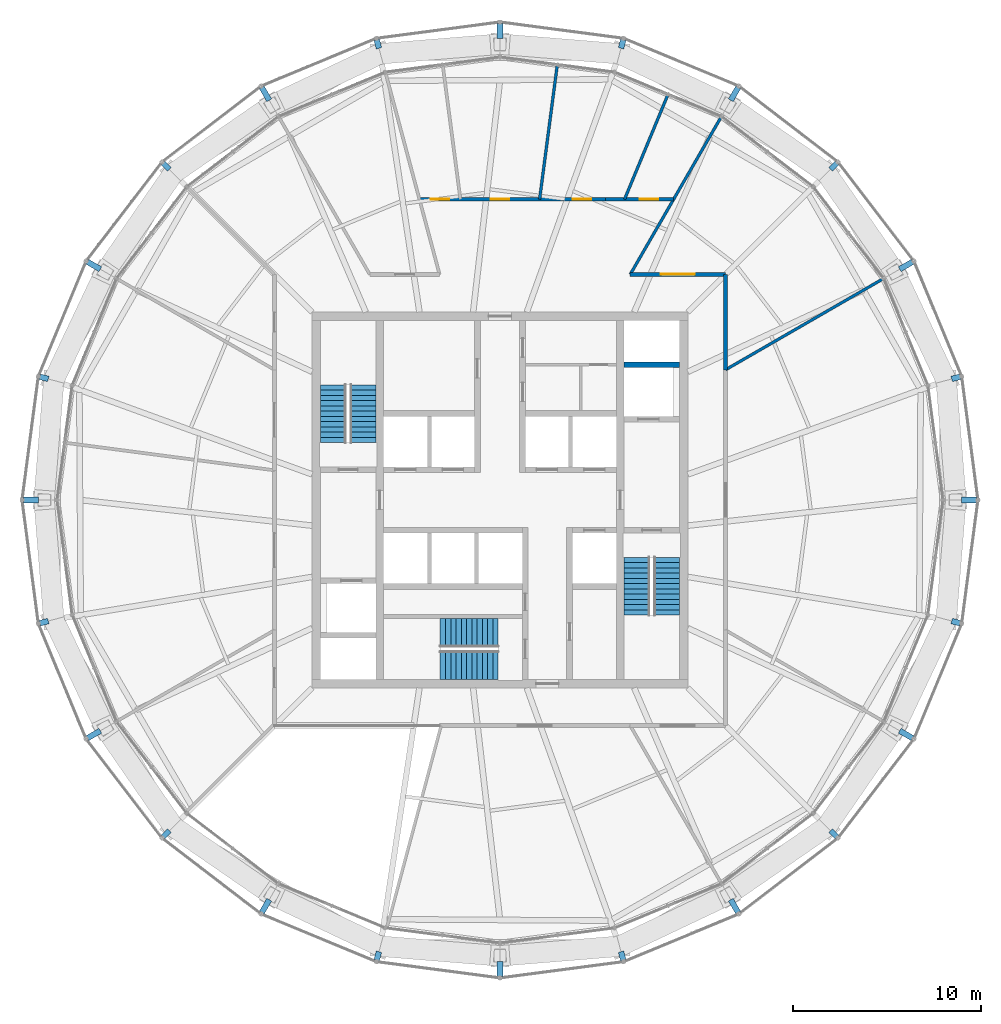
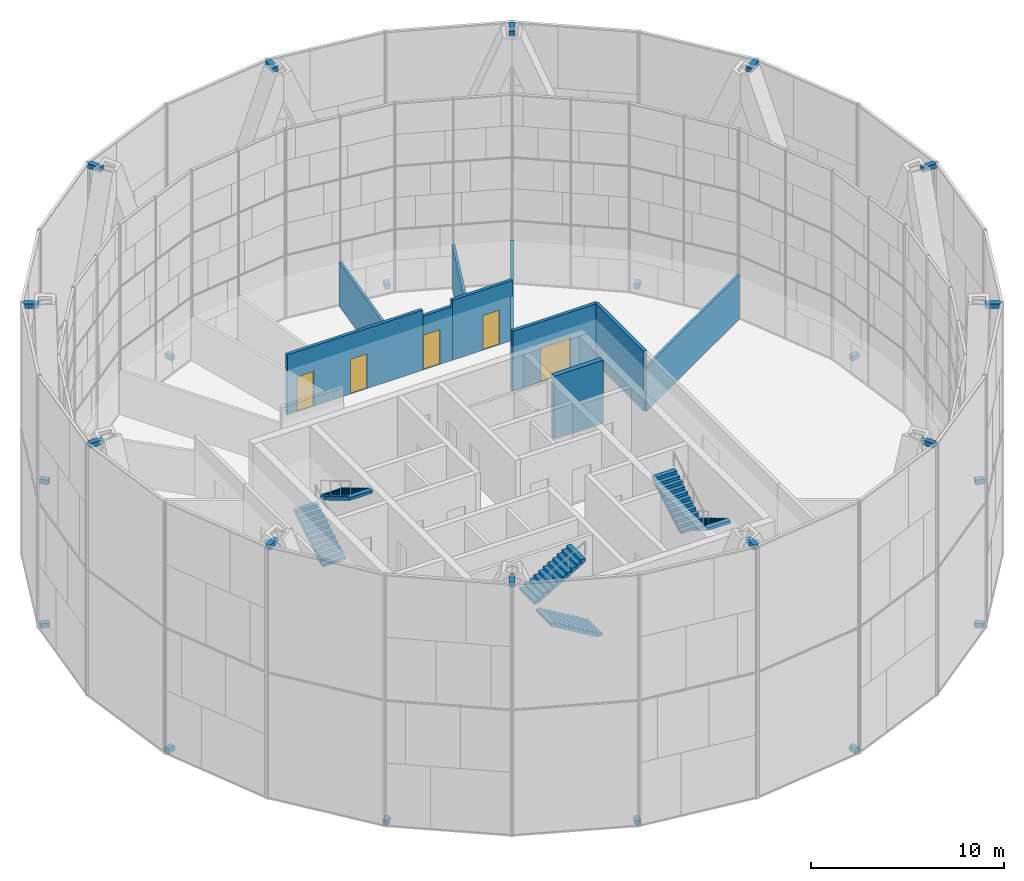
# One storey, part 25 of 26: 24 discrete accessories, 10 walls, 6 stair flights, 5 doors, 5 openings, 3 elements without a shape of their own.
"""IFC4 building model written with IfcOpenShell, lengths in metres."""

from ifc_helpers import new_model, si_unit, direction, frame, frame_2d, origin, origin_2d, place, context, subcontext, project, spatial, polyline, rectangle, outline, extrude, material, layer, layer_set, type_object, element, fill, aggregate, save


model = new_model("IFC4")

# Units and contexts
model_context = context("Model", 3, precision=1e-05, world=origin(), true_north=direction((0.0, 1.0)))
body_context = subcontext(model_context, "Body", "Model", "MODEL_VIEW")
ifc_project = project(units=[si_unit("LENGTHUNIT", "METRE"), si_unit("AREAUNIT", "SQUARE_METRE"), si_unit("VOLUMEUNIT", "CUBIC_METRE"), si_unit("PLANEANGLEUNIT", "RADIAN"), si_unit("MASSUNIT", "GRAM", prefix="KILO")], contexts=[model_context])

# Site, building, storey
site_placement = place(None, origin())
site = spatial("IfcSite", under=ifc_project, at=site_placement, CompositionType="ELEMENT")
building_placement = place(site_placement, origin())
building = spatial("IfcBuilding", under=site, at=building_placement, Name="Golbaran Civic Tower", CompositionType="ELEMENT")
storey_placement = place(building_placement, frame((0.0, 0.0, 199.0)))
storey = spatial("IfcBuildingStorey", under=building, at=storey_placement, Name="L48", CompositionType="ELEMENT", Elevation=199.0)

# Wall
ifc_material_1 = material(Name="Gypsum board on steel studs, fire-rated", Category="steel")
ifc_layer_1 = layer(ifc_material_1, 0.199951171875, Name="Gypsum board on steel studs, fire-rated")
ifc_layer_set_1 = layer_set([ifc_layer_1], Name="Gypsum board on steel studs, fire-rated")
wall_type_1 = type_object("IfcWallType", Name="CORRIDOR WALL 200", PredefinedType="PARTITIONING", material=ifc_layer_set_1)
wall_1_placement = place(storey_placement, frame((12.0, 6.92822265625, 0.0), z_axis=(0.0, 0.0, 1.0), x_axis=(0.0, 1.0, 0.0)))
element("IfcWall", 1, at=wall_1_placement, inside=storey, type_object=wall_type_1, Name="Corridor wall L48", PredefinedType="PARTITIONING", context=body_context, shape_type="SweptSolid", body=[
    extrude(rectangle(XDim=5.07177734375, YDim=0.199951171875, at=frame_2d((2.535888671875, 0.0))), origin(), (0.0, 0.0, 1.0), 3.800048828125),
])

# Wall, opening, door
wall_2_placement = place(storey_placement, frame((12.0, 12.0, 0.0), z_axis=(0.0, 0.0, 1.0), x_axis=(-1.0, 0.0, 0.0)))
wall_2 = element("IfcWall", 2, at=wall_2_placement, inside=storey, type_object=wall_type_1, Name="Corridor wall L48", PredefinedType="PARTITIONING", context=body_context, shape_type="SweptSolid", body=[
    extrude(rectangle(XDim=5.07177734375, YDim=0.199951171875, at=frame_2d((2.535888671875, 0.0))), origin(), (0.0, 0.0, 1.0), 3.800048828125),
])
opening_1_placement = place(wall_2_placement, frame((1.635986328125, 0.0, 0.0)))
opening_1 = element("IfcOpeningElement", 3, at=opening_1_placement, cuts=wall_2, Name="Opening L48.06", PredefinedType="OPENING", context=body_context, shape_type="SweptSolid", body=[
    extrude(rectangle(XDim=1.800048828125, YDim=2.199951171875, at=frame_2d((0.89990234375, 1.10009765625))), frame((0.0, 0.10986328125, 0.0), z_axis=(0.0, -1.0, 0.0), x_axis=(1.0, 0.0, 0.0)), (0.0, 0.0, 1.0), 0.219970703125),
])
ifc_material_2 = material(Name="Timber door set in steel frame", Category="steel")
door_type_1 = type_object("IfcDoorType", Name="OFFICE DOUBLE DOOR 1800x2200", OperationType="DOUBLE_DOOR_SINGLE_SWING", PredefinedType="DOOR", material=ifc_material_2)
door_1_placement = place(opening_1_placement, origin())
door_1 = element("IfcDoor", 4, at=door_1_placement, inside=storey, type_object=door_type_1, Name="Open Office door L48", OperationType="DOUBLE_DOOR_SINGLE_SWING", OverallHeight=2.199951171875, OverallWidth=1.800048828125, PredefinedType="DOOR", context=body_context, shape_type="SweptSolid", body=[
    extrude(rectangle(XDim=1.800048828125, YDim=2.199951171875, at=frame_2d((0.89990234375, 1.10009765625))), frame((0.0, 0.02490234375, 0.0), z_axis=(0.0, -1.0, 0.0), x_axis=(1.0, 0.0, 0.0)), (0.0, 0.0, 1.0), 0.050048828125),
])
fill(opening_1, door_1)

ifc_material_3 = material(Name="Gypsum board on steel studs, fire-rated, glazed panels", Category="steel")
ifc_layer_2 = layer(ifc_material_3, 0.199951171875, Name="Gypsum board on steel studs, fire-rated, glazed panels")
ifc_layer_set_2 = layer_set([ifc_layer_2], Name="Gypsum board on steel studs, fire-rated, glazed panels")
wall_type_2 = type_object("IfcWallType", Name="GALLERY WALL 200", PredefinedType="PARTITIONING", material=ifc_layer_set_2)
wall_3_placement = place(storey_placement, frame((9.237548828125, 16.0, 0.0), z_axis=(0.0, 0.0, 1.0), x_axis=(-1.0, 0.0, 0.0)))
wall_3 = element("IfcWall", 5, at=wall_3_placement, inside=storey, type_object=wall_type_2, Name="Gallery wall L48", PredefinedType="PARTITIONING", context=body_context, shape_type="SweptSolid", body=[
    extrude(rectangle(XDim=3.63623046875, YDim=0.199951171875, at=frame_2d((1.818115234375, 0.0))), origin(), (0.0, 0.0, 1.0), 3.800048828125),
])
opening_2_placement = place(wall_3_placement, frame((0.80517578125, 0.0, 0.0)))
opening_2 = element("IfcOpeningElement", 6, at=opening_2_placement, cuts=wall_3, Name="Opening L48.01", PredefinedType="OPENING", context=body_context, shape_type="SweptSolid", body=[
    extrude(rectangle(XDim=1.0, YDim=2.199951171875, at=frame_2d((0.5, 1.10009765625))), frame((0.0, 0.10986328125, 0.0), z_axis=(0.0, -1.0, 0.0), x_axis=(1.0, 0.0, 0.0)), (0.0, 0.0, 1.0), 0.219970703125),
])
door_type_2 = type_object("IfcDoorType", Name="OFFICE DOOR 1000x2200", OperationType="SINGLE_SWING_LEFT", PredefinedType="DOOR", material=ifc_material_2)
door_2_placement = place(opening_2_placement, origin())
door_2 = element("IfcDoor", 7, at=door_2_placement, inside=storey, type_object=door_type_2, Name="Director's Office door L48", OperationType="SINGLE_SWING_LEFT", OverallHeight=2.199951171875, OverallWidth=1.0, PredefinedType="DOOR", context=body_context, shape_type="SweptSolid", body=[
    extrude(rectangle(XDim=1.0, YDim=2.199951171875, at=frame_2d((0.5, 1.10009765625))), frame((0.0, 0.02490234375, 0.0), z_axis=(0.0, -1.0, 0.0), x_axis=(1.0, 0.0, 0.0)), (0.0, 0.0, 1.0), 0.050048828125),
])
fill(opening_2, door_2)

wall_4_placement = place(storey_placement, frame((5.601318359375, 16.0, 0.0), z_axis=(0.0, 0.0, 1.0), x_axis=(-1.0, 0.0, 0.0)))
wall_4 = element("IfcWall", 8, at=wall_4_placement, inside=storey, type_object=wall_type_2, Name="Gallery wall L48 (part 2)", PredefinedType="PARTITIONING", context=body_context, shape_type="SweptSolid", body=[
    extrude(rectangle(XDim=1.75439453125, YDim=0.199951171875, at=frame_2d((0.877197265625, 0.0))), origin(), (0.0, 0.0, 1.0), 3.39990234375),
])
opening_3_placement = place(wall_4_placement, frame((0.734375, 0.0, 0.0)))
opening_3 = element("IfcOpeningElement", 9, at=opening_3_placement, cuts=wall_4, Name="Opening L48.02", PredefinedType="OPENING", context=body_context, shape_type="SweptSolid", body=[
    extrude(rectangle(XDim=1.0, YDim=2.199951171875, at=frame_2d((0.5, 1.10009765625))), frame((0.0, 0.10986328125, 0.0), z_axis=(0.0, -1.0, 0.0), x_axis=(1.0, 0.0, 0.0)), (0.0, 0.0, 1.0), 0.219970703125),
])
door_3_placement = place(opening_3_placement, origin())
door_3 = element("IfcDoor", 10, at=door_3_placement, inside=storey, type_object=door_type_2, Name="Director's Office door L48", OperationType="SINGLE_SWING_LEFT", OverallHeight=2.199951171875, OverallWidth=1.0, PredefinedType="DOOR", context=body_context, shape_type="SweptSolid", body=[
    extrude(rectangle(XDim=1.0, YDim=2.199951171875, at=frame_2d((0.5, 1.10009765625))), frame((0.0, 0.02490234375, 0.0), z_axis=(0.0, -1.0, 0.0), x_axis=(1.0, 0.0, 0.0)), (0.0, 0.0, 1.0), 0.050048828125),
])
fill(opening_3, door_3)

# Wall, openings, doors
wall_5_placement = place(storey_placement, frame((3.846923828125, 16.0, 0.0), z_axis=(0.0, 0.0, 1.0), x_axis=(-1.0, 0.0, 0.0)))
wall_5 = element("IfcWall", 11, at=wall_5_placement, inside=storey, type_object=wall_type_2, Name="Gallery wall L48 (part 3)", PredefinedType="PARTITIONING", context=body_context, shape_type="SweptSolid", body=[
    extrude(rectangle(XDim=8.134033203125, YDim=0.199951171875, at=frame_2d((4.06689453125, 0.0))), origin(), (0.0, 0.0, 1.0), 3.800048828125),
])
opening_4_placement = place(wall_5_placement, frame((3.346923828125, 0.0, 0.0)))
opening_4 = element("IfcOpeningElement", 12, at=opening_4_placement, cuts=wall_5, Name="Opening L48.03", PredefinedType="OPENING", context=body_context, shape_type="SweptSolid", body=[
    extrude(rectangle(XDim=1.0, YDim=2.199951171875, at=frame_2d((0.5, 1.10009765625))), frame((0.0, 0.10986328125, 0.0), z_axis=(0.0, -1.0, 0.0), x_axis=(1.0, 0.0, 0.0)), (0.0, 0.0, 1.0), 0.219970703125),
])
opening_5_placement = place(wall_5_placement, frame((6.543701171875, 0.0, 0.0)))
opening_5 = element("IfcOpeningElement", 13, at=opening_5_placement, cuts=wall_5, Name="Opening L48.04", PredefinedType="OPENING", context=body_context, shape_type="SweptSolid", body=[
    extrude(rectangle(XDim=1.0, YDim=2.199951171875, at=frame_2d((0.5, 1.10009765625))), frame((0.0, 0.10986328125, 0.0), z_axis=(0.0, -1.0, 0.0), x_axis=(1.0, 0.0, 0.0)), (0.0, 0.0, 1.0), 0.219970703125),
])
door_4_placement = place(opening_4_placement, origin())
door_4 = element("IfcDoor", 14, at=door_4_placement, inside=storey, type_object=door_type_2, Name="Office door L48", OperationType="SINGLE_SWING_RIGHT", OverallHeight=2.199951171875, OverallWidth=1.0, PredefinedType="DOOR", context=body_context, shape_type="SweptSolid", body=[
    extrude(rectangle(XDim=1.0, YDim=2.199951171875, at=frame_2d((0.5, 1.10009765625))), frame((0.0, 0.02490234375, 0.0), z_axis=(0.0, -1.0, 0.0), x_axis=(1.0, 0.0, 0.0)), (0.0, 0.0, 1.0), 0.050048828125),
])
fill(opening_4, door_4)
door_5_placement = place(opening_5_placement, origin())
door_5 = element("IfcDoor", 15, at=door_5_placement, inside=storey, type_object=door_type_2, Name="Director's Office door L48", OperationType="SINGLE_SWING_RIGHT", OverallHeight=2.199951171875, OverallWidth=1.0, PredefinedType="DOOR", context=body_context, shape_type="SweptSolid", body=[
    extrude(rectangle(XDim=1.0, YDim=2.199951171875, at=frame_2d((0.5, 1.10009765625))), frame((0.0, 0.02490234375, 0.0), z_axis=(0.0, -1.0, 0.0), x_axis=(1.0, 0.0, 0.0)), (0.0, 0.0, 1.0), 0.050048828125),
])
fill(opening_5, door_5)

# Walls
ifc_material_4 = material(Name="Gypsum board on steel studs", Category="steel")
ifc_layer_3 = layer(ifc_material_4, 0.14990234375, Name="Gypsum board on steel studs")
ifc_layer_set_3 = layer_set([ifc_layer_3], Name="Gypsum board on steel studs")
wall_type_3 = type_object("IfcWallType", Name="OFFICE PARTITION 150", PredefinedType="PARTITIONING", material=ifc_layer_set_3)
for number, where, z_axis, x_axis, name in (
    (16, (12.0, 6.92822265625, 0.0), (0.0, 0.0, 1.0), (0.866030904871, 0.499990471717, 0.0), "Partition 30 L48"),
    (17, (6.92822265625, 12.0, 0.0), (0.0, 0.0, 1.0), (0.499990471717, 0.866030904871, 0.0), "Partition 60 L48"),
):
    element("IfcWall", number, at=place(storey_placement, frame(where, z_axis=z_axis, x_axis=x_axis)), inside=storey, type_object=wall_type_3, Name=name, PredefinedType="PARTITIONING", context=body_context, shape_type="SweptSolid", body=[
        extrude(rectangle(XDim=9.619873046875, YDim=0.14990234375, at=frame_2d((4.81005859375, 0.0))), origin(), (0.0, 0.0, 1.0), 2.7900390625),
    ])
wall_6_placement = place(storey_placement, frame((6.62744140625, 16.0, 0.0), z_axis=(0.0, 0.0, 1.0), x_axis=(0.382661871878, 0.923888462863, 0.0)))
element("IfcWall", 18, at=wall_6_placement, inside=storey, type_object=wall_type_3, Name="Partition 67.5 L48", PredefinedType="PARTITIONING", context=body_context, shape_type="SweptSolid", body=[
    extrude(rectangle(XDim=5.95703125, YDim=0.14990234375, at=frame_2d((2.978515625, 0.0))), origin(), (0.0, 0.0, 1.0), 2.7900390625),
])
wall_7_placement = place(storey_placement, frame((2.1064453125, 16.0, 0.0), z_axis=(0.0, 0.0, 1.0), x_axis=(0.130532379334, 0.991444046805, 0.0)))
element("IfcWall", 19, at=wall_7_placement, inside=storey, type_object=wall_type_3, Name="Partition 82.5 L48", PredefinedType="PARTITIONING", context=body_context, shape_type="SweptSolid", body=[
    extrude(rectangle(XDim=7.13720703125, YDim=0.14990234375, at=frame_2d((3.568603515625, 0.0))), origin(), (0.0, 0.0, 1.0), 2.7900390625),
])
ifc_material_5 = material(Name="Concrete C50/60", Category="concrete")
ifc_layer_4 = layer(ifc_material_5, 0.300048828125, Name="Concrete C50/60")
ifc_layer_set_4 = layer_set([ifc_layer_4], Name="Concrete C50/60")
wall_type_4 = type_object("IfcWallType", Name="SHAFT WALL CONCRETE 300", PredefinedType="SOLIDWALL", material=ifc_layer_set_4)
wall_8_placement = place(storey_placement, frame((6.60009765625, 7.199951171875, 0.0), z_axis=(0.0, 0.0, 1.0), x_axis=(1.0, 0.0, 0.0)))
element("IfcWall", 20, at=wall_8_placement, inside=storey, type_object=wall_type_4, Name="Core wall XE3 L48", PredefinedType="SOLIDWALL", context=body_context, shape_type="SweptSolid", body=[
    extrude(rectangle(XDim=2.949951171875, YDim=0.300048828125, at=frame_2d((1.47509765625, 0.0))), origin(), (0.0, 0.0, 1.0), 4.0),
])

# Stair, stair flights
ifc_material_6 = material(Name="Concrete C35/45", Category="concrete")
stair_type_1 = type_object("IfcStairType", Name="EXIT STAIR 2950 x 7800, 4000 RISE", PredefinedType="HALF_TURN_STAIR", material=ifc_material_6)
stair_1_placement = place(storey_placement, origin())
stair_1 = element("IfcStair", 21, at=stair_1_placement, inside=storey, type_object=stair_type_1, Name="Stair S1 L48", PredefinedType="HALF_TURN_STAIR")
stair_flight_type_1 = type_object("IfcStairFlightType", Name="STAIR FLIGHT 1375 WIDE", PredefinedType="STRAIGHT", material=ifc_material_6)
stair_flight_1_placement = place(storey_placement, frame((-8.862548828125, 3.050048828125, 0.0), z_axis=(0.0, 0.0, 1.0), x_axis=(0.0, 1.0, 0.0)))
stair_flight_1 = element("IfcStairFlight", 22, at=stair_flight_1_placement, type_object=stair_flight_type_1, Name="ST29578-40 flight 1", NumberOfRisers=12, NumberOfTreads=11, PredefinedType="STRAIGHT", RiserHeight=0.166666667, TreadLength=0.28, context=body_context, shape_type="SweptSolid", body=[
    extrude(outline(polyline([(0.0, 0.0), (0.0, 0.166748046875), (0.280029296875, 0.166748046875), (0.280029296875, 0.333251953125), (0.56005859375, 0.333251953125), (0.56005859375, 0.5), (0.840087890625, 0.5), (0.840087890625, 0.666748046875), (1.1201171875, 0.666748046875), (1.1201171875, 0.833251953125), (1.39990234375, 0.833251953125), (1.39990234375, 1.0), (1.679931640625, 1.0), (1.679931640625, 1.166748046875), (1.9599609375, 1.166748046875), (1.9599609375, 1.333251953125), (2.239990234375, 1.333251953125), (2.239990234375, 1.5), (2.52001953125, 1.5), (2.52001953125, 1.666748046875), (2.800048828125, 1.666748046875), (2.800048828125, 1.833251953125), (3.080078125, 1.833251953125), (3.080078125, 2.0), (3.080078125, 1.658935546875), (0.29296875, 0.0), (0.0, 0.0)])), frame((0.0, 0.6875, 0.0), z_axis=(0.0, -1.0, 0.0), x_axis=(1.0, 0.0, 0.0)), (0.0, 0.0, 1.0), 1.375),
])
stair_flight_2_placement = place(storey_placement, frame((-7.28759765625, 6.1298828125, 2.0), z_axis=(0.0, 0.0, 1.0), x_axis=(0.0, -1.0, 0.0)))
stair_flight_2 = element("IfcStairFlight", 23, at=stair_flight_2_placement, type_object=stair_flight_type_1, Name="ST29578-40 flight 2", NumberOfRisers=12, NumberOfTreads=11, PredefinedType="STRAIGHT", RiserHeight=0.166666667, TreadLength=0.28, context=body_context, shape_type="SweptSolid", body=[
    extrude(outline(polyline([(0.0, 0.0), (0.0, 0.166748046875), (0.280029296875, 0.166748046875), (0.280029296875, 0.333251953125), (0.56005859375, 0.333251953125), (0.56005859375, 0.5), (0.840087890625, 0.5), (0.840087890625, 0.666748046875), (1.1201171875, 0.666748046875), (1.1201171875, 0.833251953125), (1.39990234375, 0.833251953125), (1.39990234375, 1.0), (1.679931640625, 1.0), (1.679931640625, 1.166748046875), (1.9599609375, 1.166748046875), (1.9599609375, 1.333251953125), (2.239990234375, 1.333251953125), (2.239990234375, 1.5), (2.52001953125, 1.5), (2.52001953125, 1.666748046875), (2.800048828125, 1.666748046875), (2.800048828125, 1.833251953125), (3.080078125, 1.833251953125), (3.080078125, 2.0), (3.080078125, 1.658935546875), (0.29296875, 0.0), (0.0, 0.0)])), frame((0.0, 0.6875, 0.0), z_axis=(0.0, -1.0, 0.0), x_axis=(1.0, 0.0, 0.0)), (0.0, 0.0, 1.0), 1.375),
])
aggregate(stair_1, [stair_flight_1, stair_flight_2])

stair_2_placement = place(storey_placement, origin())
stair_2 = element("IfcStair", 24, at=stair_2_placement, inside=storey, type_object=stair_type_1, Name="Stair S2 L48", PredefinedType="HALF_TURN_STAIR")
stair_flight_3_placement = place(storey_placement, frame((8.862548828125, -3.050048828125, 0.0), z_axis=(0.0, 0.0, 1.0), x_axis=(0.0, -1.0, 0.0)))
stair_flight_3 = element("IfcStairFlight", 25, at=stair_flight_3_placement, type_object=stair_flight_type_1, Name="ST29578-40 flight 1", NumberOfRisers=12, NumberOfTreads=11, PredefinedType="STRAIGHT", RiserHeight=0.166666667, TreadLength=0.28, context=body_context, shape_type="SweptSolid", body=[
    extrude(outline(polyline([(0.0, 0.0), (0.0, 0.166748046875), (0.280029296875, 0.166748046875), (0.280029296875, 0.333251953125), (0.56005859375, 0.333251953125), (0.56005859375, 0.5), (0.840087890625, 0.5), (0.840087890625, 0.666748046875), (1.1201171875, 0.666748046875), (1.1201171875, 0.833251953125), (1.39990234375, 0.833251953125), (1.39990234375, 1.0), (1.679931640625, 1.0), (1.679931640625, 1.166748046875), (1.9599609375, 1.166748046875), (1.9599609375, 1.333251953125), (2.239990234375, 1.333251953125), (2.239990234375, 1.5), (2.52001953125, 1.5), (2.52001953125, 1.666748046875), (2.800048828125, 1.666748046875), (2.800048828125, 1.833251953125), (3.080078125, 1.833251953125), (3.080078125, 2.0), (3.080078125, 1.658935546875), (0.29296875, 0.0), (0.0, 0.0)])), frame((0.0, 0.6875, 0.0), z_axis=(0.0, -1.0, 0.0), x_axis=(1.0, 0.0, 0.0)), (0.0, 0.0, 1.0), 1.375),
])
stair_flight_4_placement = place(storey_placement, frame((7.28759765625, -6.1298828125, 2.0), z_axis=(0.0, 0.0, 1.0), x_axis=(0.0, 1.0, 0.0)))
stair_flight_4 = element("IfcStairFlight", 26, at=stair_flight_4_placement, type_object=stair_flight_type_1, Name="ST29578-40 flight 2", NumberOfRisers=12, NumberOfTreads=11, PredefinedType="STRAIGHT", RiserHeight=0.166666667, TreadLength=0.28, context=body_context, shape_type="SweptSolid", body=[
    extrude(outline(polyline([(0.0, 0.0), (0.0, 0.166748046875), (0.280029296875, 0.166748046875), (0.280029296875, 0.333251953125), (0.56005859375, 0.333251953125), (0.56005859375, 0.5), (0.840087890625, 0.5), (0.840087890625, 0.666748046875), (1.1201171875, 0.666748046875), (1.1201171875, 0.833251953125), (1.39990234375, 0.833251953125), (1.39990234375, 1.0), (1.679931640625, 1.0), (1.679931640625, 1.166748046875), (1.9599609375, 1.166748046875), (1.9599609375, 1.333251953125), (2.239990234375, 1.333251953125), (2.239990234375, 1.5), (2.52001953125, 1.5), (2.52001953125, 1.666748046875), (2.800048828125, 1.666748046875), (2.800048828125, 1.833251953125), (3.080078125, 1.833251953125), (3.080078125, 2.0), (3.080078125, 1.658935546875), (0.29296875, 0.0), (0.0, 0.0)])), frame((0.0, 0.6875, 0.0), z_axis=(0.0, -1.0, 0.0), x_axis=(1.0, 0.0, 0.0)), (0.0, 0.0, 1.0), 1.375),
])
aggregate(stair_2, [stair_flight_3, stair_flight_4])

stair_type_2 = type_object("IfcStairType", Name="EXIT STAIR 3250 x 7400, 4000 RISE", PredefinedType="HALF_TURN_STAIR", material=ifc_material_6)
stair_3_placement = place(storey_placement, origin())
stair_3 = element("IfcStair", 27, at=stair_3_placement, inside=storey, type_object=stair_type_2, Name="Stair S3 L48", PredefinedType="HALF_TURN_STAIR")
stair_flight_type_2 = type_object("IfcStairFlightType", Name="STAIR FLIGHT 1525 WIDE", PredefinedType="STRAIGHT", material=ifc_material_6)
stair_flight_5_placement = place(storey_placement, frame((-0.10009765625, -8.78759765625, 0.0), z_axis=(0.0, 0.0, 1.0), x_axis=(-1.0, 0.0, 0.0)))
stair_flight_5 = element("IfcStairFlight", 28, at=stair_flight_5_placement, type_object=stair_flight_type_2, Name="ST32574-40 flight 1", NumberOfRisers=12, NumberOfTreads=11, PredefinedType="STRAIGHT", RiserHeight=0.166666667, TreadLength=0.28, context=body_context, shape_type="SweptSolid", body=[
    extrude(outline(polyline([(0.0, 0.0), (0.0, 0.166748046875), (0.280029296875, 0.166748046875), (0.280029296875, 0.333251953125), (0.56005859375, 0.333251953125), (0.56005859375, 0.5), (0.840087890625, 0.5), (0.840087890625, 0.666748046875), (1.1201171875, 0.666748046875), (1.1201171875, 0.833251953125), (1.39990234375, 0.833251953125), (1.39990234375, 1.0), (1.679931640625, 1.0), (1.679931640625, 1.166748046875), (1.9599609375, 1.166748046875), (1.9599609375, 1.333251953125), (2.239990234375, 1.333251953125), (2.239990234375, 1.5), (2.52001953125, 1.5), (2.52001953125, 1.666748046875), (2.800048828125, 1.666748046875), (2.800048828125, 1.833251953125), (3.080078125, 1.833251953125), (3.080078125, 2.0), (3.080078125, 1.658935546875), (0.29296875, 0.0), (0.0, 0.0)])), frame((0.0, 0.762451171875, 0.0), z_axis=(0.0, -1.0, 0.0), x_axis=(1.0, 0.0, 0.0)), (0.0, 0.0, 1.0), 1.52490234375),
])
stair_flight_6_placement = place(storey_placement, frame((-3.179931640625, -7.0625, 2.0), z_axis=(0.0, 0.0, 1.0), x_axis=(1.0, 0.0, 0.0)))
stair_flight_6 = element("IfcStairFlight", 29, at=stair_flight_6_placement, type_object=stair_flight_type_2, Name="ST32574-40 flight 2", NumberOfRisers=12, NumberOfTreads=11, PredefinedType="STRAIGHT", RiserHeight=0.166666667, TreadLength=0.28, context=body_context, shape_type="SweptSolid", body=[
    extrude(outline(polyline([(0.0, 0.0), (0.0, 0.166748046875), (0.280029296875, 0.166748046875), (0.280029296875, 0.333251953125), (0.56005859375, 0.333251953125), (0.56005859375, 0.5), (0.840087890625, 0.5), (0.840087890625, 0.666748046875), (1.1201171875, 0.666748046875), (1.1201171875, 0.833251953125), (1.39990234375, 0.833251953125), (1.39990234375, 1.0), (1.679931640625, 1.0), (1.679931640625, 1.166748046875), (1.9599609375, 1.166748046875), (1.9599609375, 1.333251953125), (2.239990234375, 1.333251953125), (2.239990234375, 1.5), (2.52001953125, 1.5), (2.52001953125, 1.666748046875), (2.800048828125, 1.666748046875), (2.800048828125, 1.833251953125), (3.080078125, 1.833251953125), (3.080078125, 2.0), (3.080078125, 1.658935546875), (0.29296875, 0.0), (0.0, 0.0)])), frame((0.0, 0.762451171875, 0.0), z_axis=(0.0, -1.0, 0.0), x_axis=(1.0, 0.0, 0.0)), (0.0, 0.0, 1.0), 1.52490234375),
])
aggregate(stair_3, [stair_flight_5, stair_flight_6])

# Discrete accessories
ifc_material_7 = material(Name="Steel S355", Category="steel")
discrete_accessory_type = type_object("IfcDiscreteAccessoryType", Name="OUTER SKIN BRACKET", PredefinedType="BRACKET", material=ifc_material_7)
for number, where, z_axis, x_axis, name in (
    (30, (24.25732421875, 6.499755859375, -0.7099609375), (0.0, 0.0, 1.0), (0.965925826289, 0.258819045103, 0.0), "Outer skin bracket L48 node 1"),
    (31, (17.757568359375, 17.757568359375, -0.7099609375), (0.0, 0.0, 1.0), (0.707106781187, 0.707106781187, 0.0), "Outer skin bracket L48 node 2"),
    (32, (6.499755859375, 24.25732421875, -0.7099609375), (0.0, 0.0, 1.0), (0.258819045103, 0.965925826289, 0.0), "Outer skin bracket L48 node 3"),
    (33, (-6.499755859375, 24.25732421875, -0.7099609375), (0.0, 0.0, 1.0), (-0.258819045103, 0.965925826289, 0.0), "Outer skin bracket L48 node 4"),
    (34, (-17.757568359375, 17.757568359375, -0.7099609375), (0.0, 0.0, 1.0), (-0.707106781187, 0.707106781187, 0.0), "Outer skin bracket L48 node 5"),
    (35, (-24.25732421875, 6.499755859375, -0.7099609375), (0.0, 0.0, 1.0), (-0.965925826289, 0.258819045103, 0.0), "Outer skin bracket L48 node 6"),
    (36, (-24.25732421875, -6.499755859375, -0.7099609375), (0.0, 0.0, 1.0), (-0.965925826289, -0.258819045103, 0.0), "Outer skin bracket L48 node 7"),
    (37, (-17.757568359375, -17.757568359375, -0.7099609375), (0.0, 0.0, 1.0), (-0.707106781187, -0.707106781187, 0.0), "Outer skin bracket L48 node 8"),
    (38, (-6.499755859375, -24.25732421875, -0.7099609375), (0.0, 0.0, 1.0), (-0.258819045103, -0.965925826289, 0.0), "Outer skin bracket L48 node 9"),
    (39, (6.499755859375, -24.25732421875, -0.7099609375), (0.0, 0.0, 1.0), (0.258819045103, -0.965925826289, 0.0), "Outer skin bracket L48 node 10"),
    (40, (17.757568359375, -17.757568359375, -0.7099609375), (0.0, 0.0, 1.0), (0.707106781187, -0.707106781187, 0.0), "Outer skin bracket L48 node 11"),
    (41, (24.25732421875, -6.499755859375, -0.7099609375), (0.0, 0.0, 1.0), (0.965925826289, -0.258819045103, 0.0), "Outer skin bracket L48 node 12"),
):
    element("IfcDiscreteAccessory", number, at=place(storey_placement, frame(where, z_axis=z_axis, x_axis=x_axis)), inside=storey, type_object=discrete_accessory_type, Name=name, PredefinedType="BRACKET", context=body_context, shape_type="SweptSolid", body=[
        extrude(rectangle(XDim=0.469970703125, YDim=0.300048828125, at=origin_2d()), origin(), (0.0, 0.0, 1.0), 0.300048828125),
    ])
for number, where, z_axis, x_axis, name in (
    (42, (24.951904296875, 0.0, 14.98974609375), (0.0, 0.0, 1.0), (1.0, 0.0, 0.0), "Outer skin head bracket L48 node 1"),
    (43, (21.609130859375, 12.47607421875, 14.98974609375), (0.0, 0.0, 1.0), (0.866025403784, 0.5, 0.0), "Outer skin head bracket L48 node 2"),
    (44, (12.47607421875, 21.609130859375, 14.98974609375), (0.0, 0.0, 1.0), (0.5, 0.866025403784, 0.0), "Outer skin head bracket L48 node 3"),
    (45, (0.0, 24.951904296875, 14.98974609375), (0.0, 0.0, 1.0), (0.0, 1.0, 0.0), "Outer skin head bracket L48 node 4"),
    (46, (-12.47607421875, 21.609130859375, 14.98974609375), (0.0, 0.0, 1.0), (-0.5, 0.866025403784, 0.0), "Outer skin head bracket L48 node 5"),
    (47, (-21.609130859375, 12.47607421875, 14.98974609375), (0.0, 0.0, 1.0), (-0.866025403784, 0.5, 0.0), "Outer skin head bracket L48 node 6"),
    (48, (-24.951904296875, 0.0, 14.98974609375), (0.0, 0.0, 1.0), (-1.0, 0.0, 0.0), "Outer skin head bracket L48 node 7"),
    (49, (-21.609130859375, -12.47607421875, 14.98974609375), (0.0, 0.0, 1.0), (-0.866025403784, -0.5, 0.0), "Outer skin head bracket L48 node 8"),
    (50, (-12.47607421875, -21.609130859375, 14.98974609375), (0.0, 0.0, 1.0), (-0.5, -0.866025403784, 0.0), "Outer skin head bracket L48 node 9"),
    (51, (0.0, -24.951904296875, 14.98974609375), (0.0, 0.0, 1.0), (0.0, -1.0, 0.0), "Outer skin head bracket L48 node 10"),
    (52, (12.47607421875, -21.609130859375, 14.98974609375), (0.0, 0.0, 1.0), (0.5, -0.866025403784, 0.0), "Outer skin head bracket L48 node 11"),
    (53, (21.609130859375, -12.47607421875, 14.98974609375), (0.0, 0.0, 1.0), (0.866025403784, -0.5, 0.0), "Outer skin head bracket L48 node 12"),
):
    element("IfcDiscreteAccessory", number, at=place(storey_placement, frame(where, z_axis=z_axis, x_axis=x_axis)), inside=storey, type_object=discrete_accessory_type, Name=name, PredefinedType="BRACKET", context=body_context, shape_type="SweptSolid", body=[
        extrude(rectangle(XDim=0.7919921875, YDim=0.300048828125, at=origin_2d()), origin(), (0.0, 0.0, 1.0), 0.300048828125),
    ])

save(model, "model.ifc")
